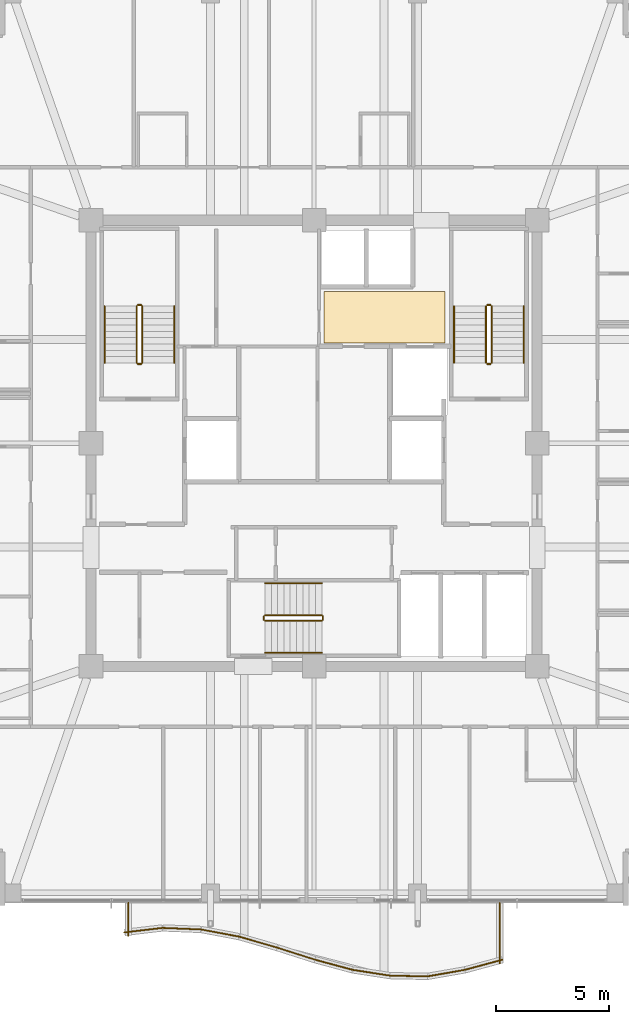
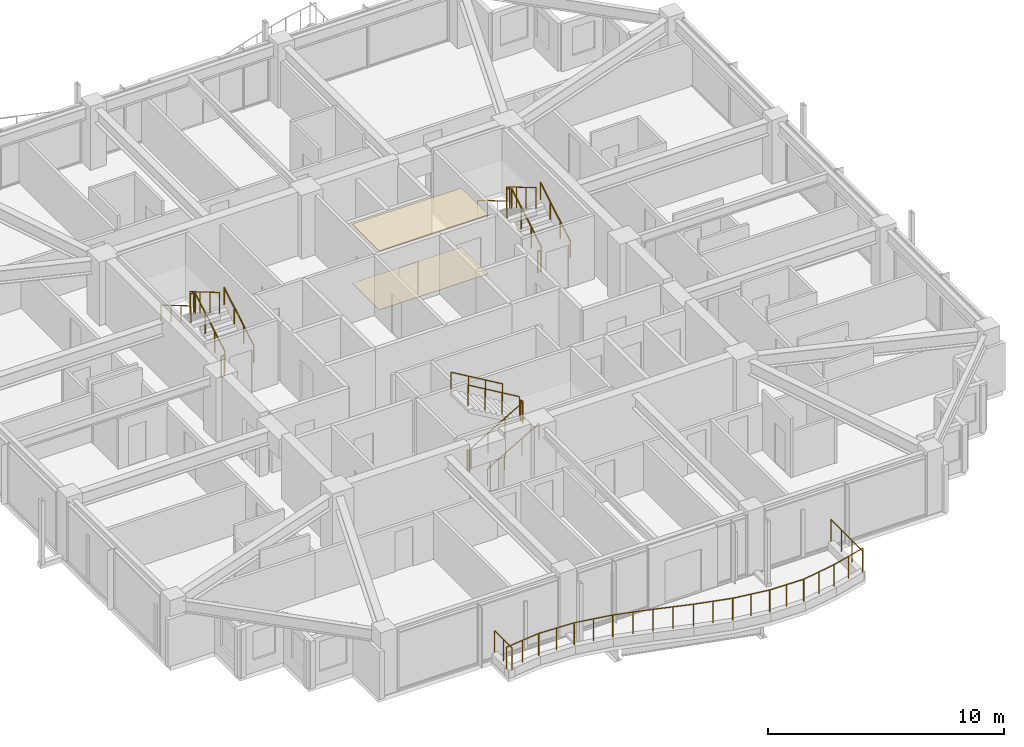
# One storey, part 37 of 38: 30 railings, 2 coverings.
"""IFC4 building model written with IfcOpenShell, lengths in metres."""

from ifc_helpers import new_model, si_unit, direction, frame, origin, origin_2d, place, context, subcontext, project, spatial, polyline, circle, outline, extrude, material, layer, layer_set, type_object, element, save


model = new_model("IFC4")

# Units and contexts
model_context = context("Model", 3, precision=1e-05, world=origin(), true_north=direction((0.0, 1.0)))
body_context = subcontext(model_context, "Body", "Model", "MODEL_VIEW")
ifc_project = project(units=[si_unit("LENGTHUNIT", "METRE"), si_unit("AREAUNIT", "SQUARE_METRE"), si_unit("VOLUMEUNIT", "CUBIC_METRE"), si_unit("PLANEANGLEUNIT", "RADIAN"), si_unit("MASSUNIT", "GRAM", prefix="KILO")], contexts=[model_context])

# Site, building, storey
site_placement = place(None, origin())
site = spatial("IfcSite", under=ifc_project, at=site_placement, CompositionType="ELEMENT")
building_placement = place(site_placement, origin())
building = spatial("IfcBuilding", under=site, at=building_placement, Name="Kolvaren Belvedere", CompositionType="ELEMENT")
storey_placement = place(building_placement, frame((0.0, 0.0, 213.0)))
storey = spatial("IfcBuildingStorey", under=building, at=storey_placement, Name="L62", CompositionType="ELEMENT", Elevation=213.0)

# Coverings
ifc_material_1 = material(Name="Acoustic perforated gypsum board", Category="gypsum")
ifc_layer_1 = layer(ifc_material_1, 0.02490234375)
ifc_layer_set_1 = layer_set([ifc_layer_1], Name="Acoustic perforated gypsum board")
covering_type_1 = type_object("IfcCoveringType", Name="COV-CEIL-GYP", PredefinedType="CEILING", material=ifc_layer_set_1)
covering_1_placement = place(storey_placement, frame((0.0, 0.0, 3.054931640625)))
element("IfcCovering", 1, at=covering_1_placement, inside=storey, type_object=covering_type_1, Name="L62 Lift Lobby Acoustic Baffle Ceiling", PredefinedType="CEILING", context=body_context, shape_type="SweptSolid", body=[
    extrude(outline(polyline([(0.449951171875, 4.449951171875), (5.800048828125, 4.449951171875), (5.800048828125, 6.75), (0.449951171875, 6.75), (0.449951171875, 4.449951171875)])), origin(), (0.0, 0.0, 1.0), 0.025146484375),
])
ifc_material_2 = material(Name="Engineered Pacific white oak", Category="timber")
ifc_layer_2 = layer(ifc_material_2, 0.02001953125)
ifc_layer_set_2 = layer_set([ifc_layer_2], Name="Engineered Pacific white oak")
covering_type_2 = type_object("IfcCoveringType", Name="COV-FLR-OAK", PredefinedType="FLOORING", material=ifc_layer_set_2)
covering_2_placement = place(storey_placement, origin())
element("IfcCovering", 2, at=covering_2_placement, inside=storey, type_object=covering_type_2, Name="L62 Lift Lobby Finish Flooring", PredefinedType="FLOORING", context=body_context, shape_type="SweptSolid", body=[
    extrude(outline(polyline([(0.449951171875, 4.449951171875), (5.800048828125, 4.449951171875), (5.800048828125, 6.75), (0.449951171875, 6.75), (0.449951171875, 4.449951171875)])), origin(), (0.0, 0.0, 1.0), 0.02001953125),
])

# Railings
ifc_material_3 = material(Name="Anodised pale-metal aluminium & laminated glass guard", Category="aluminium")
railing_type_1 = type_object("IfcRailingType", Name="RL-GUARD-1150", PredefinedType="GUARDRAIL", material=ifc_material_3)
railing_1_placement = place(storey_placement, frame((-8.418701171875, -21.70751953125, 0.3798828125)))
element("IfcRailing", 3, at=railing_1_placement, inside=storey, type_object=railing_type_1, Name="L62 Exterior Deck Safety Guard BAL-S-1", PredefinedType="GUARDRAIL", context=body_context, shape_type="SweptSolid", body=[
    extrude(circle(Radius=0.02392578125, at=origin_2d()), frame((0.0, 0.0, 1.1259765625), z_axis=(0.993125952783, 0.11705059551, 0.0), x_axis=(-0.11705059551, 0.993125952783, 0.0)), (0.0, 0.0, 1.0), 1.691650390625),
    extrude(circle(Radius=0.02099609375, at=origin_2d()), origin(), (0.0, 0.0, 1.0), 1.101806640625),
    extrude(circle(Radius=0.02099609375, at=origin_2d()), frame((0.83984375, 0.09912109375, 0.0)), (0.0, 0.0, 1.0), 1.101806640625),
    extrude(circle(Radius=0.02099609375, at=origin_2d()), frame((1.679931640625, 0.197998046875, 0.0)), (0.0, 0.0, 1.0), 1.101806640625),
])
railing_2_placement = place(storey_placement, frame((-6.713623046875, -21.508544921875, 0.3798828125)))
element("IfcRailing", 4, at=railing_2_placement, inside=storey, type_object=railing_type_1, Name="L62 Exterior Deck Safety Guard BAL-S-2", PredefinedType="GUARDRAIL", context=body_context, shape_type="SweptSolid", body=[
    extrude(circle(Radius=0.02392578125, at=origin_2d()), frame((0.0, 0.0, 1.1259765625), z_axis=(0.999196545286, -0.040078222133, 0.0), x_axis=(0.040078222133, 0.999196545286, 0.0)), (0.0, 0.0, 1.0), 1.681396484375),
    extrude(circle(Radius=0.02099609375, at=origin_2d()), origin(), (0.0, 0.0, 1.0), 1.101806640625),
    extrude(circle(Radius=0.02099609375, at=origin_2d()), frame((0.83984375, -0.03369140625, 0.0)), (0.0, 0.0, 1.0), 1.101806640625),
    extrude(circle(Radius=0.02099609375, at=origin_2d()), frame((1.679931640625, -0.0673828125, 0.0)), (0.0, 0.0, 1.0), 1.101806640625),
])
railing_3_placement = place(storey_placement, frame((-5.010498046875, -21.57861328125, 0.3798828125)))
element("IfcRailing", 5, at=railing_3_placement, inside=storey, type_object=railing_type_1, Name="L62 Exterior Deck Safety Guard BAL-S-3", PredefinedType="GUARDRAIL", context=body_context, shape_type="SweptSolid", body=[
    extrude(circle(Radius=0.02392578125, at=origin_2d()), frame((0.0, 0.0, 1.1259765625), z_axis=(0.982804219087, -0.184650661912, 0.0), x_axis=(0.184650661912, 0.982804219087, 0.0)), (0.0, 0.0, 1.0), 1.70947265625),
    extrude(circle(Radius=0.02099609375, at=origin_2d()), origin(), (0.0, 0.0, 1.0), 1.101806640625),
    extrude(circle(Radius=0.02099609375, at=origin_2d()), frame((0.840087890625, -0.15771484375, 0.0)), (0.0, 0.0, 1.0), 1.101806640625),
    extrude(circle(Radius=0.02099609375, at=origin_2d()), frame((1.68017578125, -0.315673828125, 0.0)), (0.0, 0.0, 1.0), 1.101806640625),
])
railing_4_placement = place(storey_placement, frame((-3.3154296875, -21.89794921875, 0.3798828125)))
element("IfcRailing", 6, at=railing_4_placement, inside=storey, type_object=railing_type_1, Name="L62 Exterior Deck Safety Guard BAL-S-4", PredefinedType="GUARDRAIL", context=body_context, shape_type="SweptSolid", body=[
    extrude(circle(Radius=0.02392578125, at=origin_2d()), frame((0.0, 0.0, 1.1259765625), z_axis=(0.960633903819, -0.277817391164, 0.0), x_axis=(0.277817391164, 0.960633903819, 0.0)), (0.0, 0.0, 1.0), 1.748779296875),
    extrude(circle(Radius=0.02099609375, at=origin_2d()), origin(), (0.0, 0.0, 1.0), 1.101806640625),
    extrude(circle(Radius=0.02099609375, at=origin_2d()), frame((0.83984375, -0.242919921875, 0.0)), (0.0, 0.0, 1.0), 1.101806640625),
    extrude(circle(Radius=0.02099609375, at=origin_2d()), frame((1.679931640625, -0.48583984375, 0.0)), (0.0, 0.0, 1.0), 1.101806640625),
])
railing_5_placement = place(storey_placement, frame((-1.63134765625, -22.38525390625, 0.3798828125)))
element("IfcRailing", 7, at=railing_5_placement, inside=storey, type_object=railing_type_1, Name="L62 Exterior Deck Safety Guard BAL-S-5", PredefinedType="GUARDRAIL", context=body_context, shape_type="SweptSolid", body=[
    extrude(circle(Radius=0.02392578125, at=origin_2d()), frame((0.0, 0.0, 1.1259765625), z_axis=(0.952661770826, -0.304032153573, 0.0), x_axis=(0.304032153573, 0.952661770826, 0.0)), (0.0, 0.0, 1.0), 1.763427734375),
    extrude(circle(Radius=0.02099609375, at=origin_2d()), origin(), (0.0, 0.0, 1.0), 1.101806640625),
    extrude(circle(Radius=0.02099609375, at=origin_2d()), frame((0.83984375, -0.26806640625, 0.0)), (0.0, 0.0, 1.0), 1.101806640625),
    extrude(circle(Radius=0.02099609375, at=origin_2d()), frame((1.679931640625, -0.5361328125, 0.0)), (0.0, 0.0, 1.0), 1.101806640625),
])
railing_6_placement = place(storey_placement, frame((0.041748046875, -22.919189453125, 0.3798828125)))
element("IfcRailing", 8, at=railing_6_placement, inside=storey, type_object=railing_type_1, Name="L62 Exterior Deck Safety Guard BAL-S-6", PredefinedType="GUARDRAIL", context=body_context, shape_type="SweptSolid", body=[
    extrude(circle(Radius=0.02392578125, at=origin_2d()), frame((0.0, 0.0, 1.1259765625), z_axis=(0.965424492388, -0.260682852326, 0.0), x_axis=(0.260682852326, 0.965424492388, 0.0)), (0.0, 0.0, 1.0), 1.739990234375),
    extrude(circle(Radius=0.02099609375, at=origin_2d()), origin(), (0.0, 0.0, 1.0), 1.101806640625),
    extrude(circle(Radius=0.02099609375, at=origin_2d()), frame((0.83984375, -0.226806640625, 0.0)), (0.0, 0.0, 1.0), 1.101806640625),
    extrude(circle(Radius=0.02099609375, at=origin_2d()), frame((1.679931640625, -0.45361328125, 0.0)), (0.0, 0.0, 1.0), 1.101806640625),
])
railing_7_placement = place(storey_placement, frame((1.704345703125, -23.369140625, 0.3798828125)))
element("IfcRailing", 9, at=railing_7_placement, inside=storey, type_object=railing_type_1, Name="L62 Exterior Deck Safety Guard BAL-S-7", PredefinedType="GUARDRAIL", context=body_context, shape_type="SweptSolid", body=[
    extrude(circle(Radius=0.02392578125, at=origin_2d()), frame((0.0, 0.0, 1.1259765625), z_axis=(0.988345118302, -0.152229849666, 0.0), x_axis=(0.152229849666, 0.988345118302, 0.0)), (0.0, 0.0, 1.0), 1.699951171875),
    extrude(circle(Radius=0.02099609375, at=origin_2d()), origin(), (0.0, 0.0, 1.0), 1.101806640625),
    extrude(circle(Radius=0.02099609375, at=origin_2d()), frame((0.840087890625, -0.12939453125, 0.0)), (0.0, 0.0, 1.0), 1.101806640625),
    extrude(circle(Radius=0.02099609375, at=origin_2d()), frame((1.68017578125, -0.2587890625, 0.0)), (0.0, 0.0, 1.0), 1.101806640625),
])
railing_8_placement = place(storey_placement, frame((3.36328125, -23.626220703125, 0.3798828125)))
element("IfcRailing", 10, at=railing_8_placement, inside=storey, type_object=railing_type_1, Name="L62 Exterior Deck Safety Guard BAL-S-8", PredefinedType="GUARDRAIL", context=body_context, shape_type="SweptSolid", body=[
    extrude(circle(Radius=0.02392578125, at=origin_2d()), frame((0.0, 0.0, 1.1259765625), z_axis=(0.99979895463, -0.020051192521, 0.0), x_axis=(0.020051192521, 0.99979895463, 0.0)), (0.0, 0.0, 1.0), 1.68017578125),
    extrude(circle(Radius=0.02099609375, at=origin_2d()), origin(), (0.0, 0.0, 1.0), 1.101806640625),
    extrude(circle(Radius=0.02099609375, at=origin_2d()), frame((0.83984375, -0.016845703125, 0.0)), (0.0, 0.0, 1.0), 1.101806640625),
    extrude(circle(Radius=0.02099609375, at=origin_2d()), frame((1.679931640625, -0.03369140625, 0.0)), (0.0, 0.0, 1.0), 1.101806640625),
])
railing_9_placement = place(storey_placement, frame((5.012451171875, -23.662353515625, 0.3798828125)))
element("IfcRailing", 11, at=railing_9_placement, inside=storey, type_object=railing_type_1, Name="L62 Exterior Deck Safety Guard BAL-S-9", PredefinedType="GUARDRAIL", context=body_context, shape_type="SweptSolid", body=[
    extrude(circle(Radius=0.02392578125, at=origin_2d()), frame((0.0, 0.0, 1.1259765625), z_axis=(0.985156010777, 0.171661394699, 0.0), x_axis=(-0.171661394699, 0.985156010777, 0.0)), (0.0, 0.0, 1.0), 1.705322265625),
    extrude(circle(Radius=0.02099609375, at=origin_2d()), origin(), (0.0, 0.0, 1.0), 1.101806640625),
    extrude(circle(Radius=0.02099609375, at=origin_2d()), frame((0.83984375, 0.146484375, 0.0)), (0.0, 0.0, 1.0), 1.101806640625),
    extrude(circle(Radius=0.02099609375, at=origin_2d()), frame((1.679931640625, 0.292724609375, 0.0)), (0.0, 0.0, 1.0), 1.101806640625),
])
railing_10_placement = place(storey_placement, frame((6.67822265625, -23.372802734375, 0.3798828125)))
element("IfcRailing", 12, at=railing_10_placement, inside=storey, type_object=railing_type_1, Name="L62 Exterior Deck Safety Guard BAL-S-10", PredefinedType="GUARDRAIL", context=body_context, shape_type="SweptSolid", body=[
    extrude(circle(Radius=0.02392578125, at=origin_2d()), frame((0.0, 0.0, 1.1259765625), z_axis=(0.965434024814, 0.260647546949, 0.0), x_axis=(-0.260647546949, 0.965434024814, 0.0)), (0.0, 0.0, 1.0), 1.740234375),
    extrude(circle(Radius=0.02099609375, at=origin_2d()), origin(), (0.0, 0.0, 1.0), 1.101806640625),
    extrude(circle(Radius=0.02099609375, at=origin_2d()), frame((0.840087890625, 0.226806640625, 0.0)), (0.0, 0.0, 1.0), 1.101806640625),
    extrude(circle(Radius=0.02099609375, at=origin_2d()), frame((1.68017578125, 0.45361328125, 0.0)), (0.0, 0.0, 1.0), 1.101806640625),
])
railing_11_placement = place(storey_placement, frame((8.239990234375, -23.07373046875, 0.3798828125)))
element("IfcRailing", 13, at=railing_11_placement, inside=storey, type_object=railing_type_1, Name="L62 Exterior Deck Safety Guard BAL-S-11", PredefinedType="GUARDRAIL", context=body_context, shape_type="SweptSolid", body=[
    extrude(circle(Radius=0.02392578125, at=origin_2d()), frame((0.0, 0.0, 1.1259765625), z_axis=(0.0, 1.0, 0.0), x_axis=(-1.0, 0.0, 0.0)), (0.0, 0.0, 1.0), 2.673828125),
    extrude(circle(Radius=0.02099609375, at=origin_2d()), origin(), (0.0, 0.0, 1.0), 1.101806640625),
    extrude(circle(Radius=0.02099609375, at=origin_2d()), frame((0.0, 0.891357421875, 0.0)), (0.0, 0.0, 1.0), 1.101806640625),
    extrude(circle(Radius=0.02099609375, at=origin_2d()), frame((0.0, 1.782470703125, 0.0)), (0.0, 0.0, 1.0), 1.101806640625),
    extrude(circle(Radius=0.02099609375, at=origin_2d()), frame((0.0, 2.673828125, 0.0)), (0.0, 0.0, 1.0), 1.101806640625),
])
railing_12_placement = place(storey_placement, frame((-8.239990234375, -20.39990234375, 0.3798828125)))
element("IfcRailing", 14, at=railing_12_placement, inside=storey, type_object=railing_type_1, Name="L62 Exterior Deck Safety Guard BAL-S-22", PredefinedType="GUARDRAIL", context=body_context, shape_type="SweptSolid", body=[
    extrude(circle(Radius=0.02392578125, at=origin_2d()), frame((0.0, 0.0, 1.1259765625), z_axis=(0.0, -1.0, 0.0), x_axis=(1.0, 0.0, 0.0)), (0.0, 0.0, 1.0), 1.46630859375),
    extrude(circle(Radius=0.02099609375, at=origin_2d()), origin(), (0.0, 0.0, 1.0), 1.101806640625),
    extrude(circle(Radius=0.02099609375, at=origin_2d()), frame((0.0, -0.733154296875, 0.0)), (0.0, 0.0, 1.0), 1.101806640625),
    extrude(circle(Radius=0.02099609375, at=origin_2d()), frame((0.0, -1.46630859375, 0.0)), (0.0, 0.0, 1.0), 1.101806640625),
])
ifc_material_4 = material(Name="Brushed stainless-steel handrail", Category="steel")
railing_type_2 = type_object("IfcRailingType", Name="RL-HANDRAIL-920", PredefinedType="HANDRAIL", material=ifc_material_4)
railing_13_placement = place(storey_placement, frame((-6.2099609375, 3.570068359375, 0.1650390625)))
element("IfcRailing", 15, at=railing_13_placement, inside=storey, type_object=railing_type_2, Name="L62 ST-1 stair handrail 1", PredefinedType="HANDRAIL", context=body_context, shape_type="SweptSolid", body=[
    extrude(circle(Radius=0.02392578125, at=origin_2d()), frame((0.0, 0.0, 0.8759765625), z_axis=(0.0, 0.861560626758, 0.507654692109), x_axis=(-1.0, 0.0, 0.0)), (0.0, 0.0, 1.0), 2.925048828125),
    extrude(circle(Radius=0.02099609375, at=origin_2d()), origin(), (0.0, 0.0, 1.0), 0.851806640625),
    extrude(circle(Radius=0.02099609375, at=origin_2d()), frame((0.0, 0.840087890625, 0.494873046875)), (0.0, 0.0, 1.0), 0.851806640625),
    extrude(circle(Radius=0.02099609375, at=origin_2d()), frame((0.0, 1.679931640625, 0.989990234375)), (0.0, 0.0, 1.0), 0.851806640625),
    extrude(circle(Radius=0.02099609375, at=origin_2d()), frame((0.0, 2.52001953125, 1.48486328125)), (0.0, 0.0, 1.0), 0.851806640625),
])
railing_14_placement = place(storey_placement, frame((-9.300048828125, 6.090087890625, 1.81494140625)))
element("IfcRailing", 16, at=railing_14_placement, inside=storey, type_object=railing_type_2, Name="L62 ST-1 stair handrail 2", PredefinedType="HANDRAIL", context=body_context, shape_type="SweptSolid", body=[
    extrude(circle(Radius=0.02392578125, at=origin_2d()), frame((0.0, 0.0, 0.8759765625), z_axis=(0.0, -0.86152411907, 0.507716645641), x_axis=(1.0, 0.0, 0.0)), (0.0, 0.0, 1.0), 2.925048828125),
    extrude(circle(Radius=0.02099609375, at=origin_2d()), origin(), (0.0, 0.0, 1.0), 0.851806640625),
    extrude(circle(Radius=0.02099609375, at=origin_2d()), frame((0.0, -0.840087890625, 0.4951171875)), (0.0, 0.0, 1.0), 0.851806640625),
    extrude(circle(Radius=0.02099609375, at=origin_2d()), frame((0.0, -1.679931640625, 0.989990234375)), (0.0, 0.0, 1.0), 0.851806640625),
    extrude(circle(Radius=0.02099609375, at=origin_2d()), frame((0.0, -2.52001953125, 1.485107421875)), (0.0, 0.0, 1.0), 0.851806640625),
])
railing_15_placement = place(storey_placement, frame((9.300048828125, 3.570068359375, 0.1650390625)))
element("IfcRailing", 17, at=railing_15_placement, inside=storey, type_object=railing_type_2, Name="L62 ST-2 stair handrail 1", PredefinedType="HANDRAIL", context=body_context, shape_type="SweptSolid", body=[
    extrude(circle(Radius=0.02392578125, at=origin_2d()), frame((0.0, 0.0, 0.8759765625), z_axis=(0.0, 0.861560626758, 0.507654692109), x_axis=(-1.0, 0.0, 0.0)), (0.0, 0.0, 1.0), 2.925048828125),
    extrude(circle(Radius=0.02099609375, at=origin_2d()), origin(), (0.0, 0.0, 1.0), 0.851806640625),
    extrude(circle(Radius=0.02099609375, at=origin_2d()), frame((0.0, 0.840087890625, 0.494873046875)), (0.0, 0.0, 1.0), 0.851806640625),
    extrude(circle(Radius=0.02099609375, at=origin_2d()), frame((0.0, 1.679931640625, 0.989990234375)), (0.0, 0.0, 1.0), 0.851806640625),
    extrude(circle(Radius=0.02099609375, at=origin_2d()), frame((0.0, 2.52001953125, 1.48486328125)), (0.0, 0.0, 1.0), 0.851806640625),
])
railing_16_placement = place(storey_placement, frame((6.2099609375, 6.090087890625, 1.81494140625)))
element("IfcRailing", 18, at=railing_16_placement, inside=storey, type_object=railing_type_2, Name="L62 ST-2 stair handrail 2", PredefinedType="HANDRAIL", context=body_context, shape_type="SweptSolid", body=[
    extrude(circle(Radius=0.02392578125, at=origin_2d()), frame((0.0, 0.0, 0.8759765625), z_axis=(0.0, -0.86152411907, 0.507716645641), x_axis=(1.0, 0.0, 0.0)), (0.0, 0.0, 1.0), 2.925048828125),
    extrude(circle(Radius=0.02099609375, at=origin_2d()), origin(), (0.0, 0.0, 1.0), 0.851806640625),
    extrude(circle(Radius=0.02099609375, at=origin_2d()), frame((0.0, -0.840087890625, 0.4951171875)), (0.0, 0.0, 1.0), 0.851806640625),
    extrude(circle(Radius=0.02099609375, at=origin_2d()), frame((0.0, -1.679931640625, 0.989990234375)), (0.0, 0.0, 1.0), 0.851806640625),
    extrude(circle(Radius=0.02099609375, at=origin_2d()), frame((0.0, -2.52001953125, 1.485107421875)), (0.0, 0.0, 1.0), 0.851806640625),
])
railing_17_placement = place(storey_placement, frame((-2.179931640625, -9.300048828125, 0.1650390625)))
element("IfcRailing", 19, at=railing_17_placement, inside=storey, type_object=railing_type_2, Name="L62 ST-3 stair handrail 1", PredefinedType="HANDRAIL", context=body_context, shape_type="SweptSolid", body=[
    extrude(circle(Radius=0.02392578125, at=origin_2d()), frame((0.0, 0.0, 0.8759765625), z_axis=(0.861560626758, 0.0, 0.507654692109), x_axis=(0.0, 1.0, 0.0)), (0.0, 0.0, 1.0), 2.925048828125),
    extrude(circle(Radius=0.02099609375, at=origin_2d()), origin(), (0.0, 0.0, 1.0), 0.851806640625),
    extrude(circle(Radius=0.02099609375, at=origin_2d()), frame((0.840087890625, 0.0, 0.494873046875)), (0.0, 0.0, 1.0), 0.851806640625),
    extrude(circle(Radius=0.02099609375, at=origin_2d()), frame((1.679931640625, 0.0, 0.989990234375)), (0.0, 0.0, 1.0), 0.851806640625),
    extrude(circle(Radius=0.02099609375, at=origin_2d()), frame((2.52001953125, 0.0, 1.48486328125)), (0.0, 0.0, 1.0), 0.851806640625),
])
railing_18_placement = place(storey_placement, frame((0.340087890625, -6.2099609375, 1.81494140625)))
element("IfcRailing", 20, at=railing_18_placement, inside=storey, type_object=railing_type_2, Name="L62 ST-3 stair handrail 2", PredefinedType="HANDRAIL", context=body_context, shape_type="SweptSolid", body=[
    extrude(circle(Radius=0.02392578125, at=origin_2d()), frame((0.0, 0.0, 0.8759765625), z_axis=(-0.86152411907, 0.0, 0.507716645641), x_axis=(0.0, -1.0, 0.0)), (0.0, 0.0, 1.0), 2.925048828125),
    extrude(circle(Radius=0.02099609375, at=origin_2d()), origin(), (0.0, 0.0, 1.0), 0.851806640625),
    extrude(circle(Radius=0.02099609375, at=origin_2d()), frame((-0.840087890625, 0.0, 0.4951171875)), (0.0, 0.0, 1.0), 0.851806640625),
    extrude(circle(Radius=0.02099609375, at=origin_2d()), frame((-1.679931640625, 0.0, 0.989990234375)), (0.0, 0.0, 1.0), 0.851806640625),
    extrude(circle(Radius=0.02099609375, at=origin_2d()), frame((-2.52001953125, 0.0, 1.485107421875)), (0.0, 0.0, 1.0), 0.851806640625),
])
ifc_material_5 = material(Name="Painted tubular steel stair guard", Category="steel")
railing_type_3 = type_object("IfcRailingType", Name="RL-STGUARD-1100", PredefinedType="GUARDRAIL", material=ifc_material_5)
railing_19_placement = place(storey_placement, frame((-7.6298828125, 3.570068359375, 0.1650390625)))
element("IfcRailing", 21, at=railing_19_placement, inside=storey, type_object=railing_type_3, Name="L62 ST-1 stair guard 1", PredefinedType="GUARDRAIL", context=body_context, shape_type="SweptSolid", body=[
    extrude(circle(Radius=0.02392578125, at=origin_2d()), frame((0.0, 0.0, 1.076171875), z_axis=(0.0, 0.861560626758, 0.507654692109), x_axis=(-1.0, 0.0, 0.0)), (0.0, 0.0, 1.0), 2.925048828125),
    extrude(circle(Radius=0.02099609375, at=origin_2d()), origin(), (0.0, 0.0, 1.0), 1.052001953125),
    extrude(circle(Radius=0.02099609375, at=origin_2d()), frame((0.0, 0.840087890625, 0.494873046875)), (0.0, 0.0, 1.0), 1.052001953125),
    extrude(circle(Radius=0.02099609375, at=origin_2d()), frame((0.0, 1.679931640625, 0.989990234375)), (0.0, 0.0, 1.0), 1.052001953125),
    extrude(circle(Radius=0.02099609375, at=origin_2d()), frame((0.0, 2.52001953125, 1.48486328125)), (0.0, 0.0, 1.0), 1.052001953125),
])
railing_20_placement = place(storey_placement, frame((-7.679931640625, 6.139892578125, 1.64990234375)))
element("IfcRailing", 22, at=railing_20_placement, inside=storey, type_object=railing_type_3, Name="L62 ST-1 stair guard 2", PredefinedType="GUARDRAIL", context=body_context, shape_type="SweptSolid", body=[
    extrude(circle(Radius=0.02392578125, at=origin_2d()), frame((0.0, 0.0, 1.076171875), z_axis=(-1.0, 0.0, 0.0), x_axis=(0.0, -1.0, 0.0)), (0.0, 0.0, 1.0), 0.150146484375),
    extrude(circle(Radius=0.02099609375, at=origin_2d()), origin(), (0.0, 0.0, 1.0), 1.052001953125),
    extrude(circle(Radius=0.02099609375, at=origin_2d()), frame((-0.150146484375, 0.0, 0.0)), (0.0, 0.0, 1.0), 1.052001953125),
])
railing_21_placement = place(storey_placement, frame((-7.8798828125, 6.090087890625, 1.81494140625)))
element("IfcRailing", 23, at=railing_21_placement, inside=storey, type_object=railing_type_3, Name="L62 ST-1 stair guard 3", PredefinedType="GUARDRAIL", context=body_context, shape_type="SweptSolid", body=[
    extrude(circle(Radius=0.02392578125, at=origin_2d()), frame((0.0, 0.0, 1.076171875), z_axis=(0.0, -0.86152411907, 0.507716645641), x_axis=(1.0, 0.0, 0.0)), (0.0, 0.0, 1.0), 2.925048828125),
    extrude(circle(Radius=0.02099609375, at=origin_2d()), origin(), (0.0, 0.0, 1.0), 1.052001953125),
    extrude(circle(Radius=0.02099609375, at=origin_2d()), frame((0.0, -0.840087890625, 0.4951171875)), (0.0, 0.0, 1.0), 1.052001953125),
    extrude(circle(Radius=0.02099609375, at=origin_2d()), frame((0.0, -1.679931640625, 0.989990234375)), (0.0, 0.0, 1.0), 1.052001953125),
    extrude(circle(Radius=0.02099609375, at=origin_2d()), frame((0.0, -2.52001953125, 1.485107421875)), (0.0, 0.0, 1.0), 1.052001953125),
])
railing_22_placement = place(storey_placement, frame((-7.679931640625, 3.52001953125, 0.0)))
element("IfcRailing", 24, at=railing_22_placement, inside=storey, type_object=railing_type_3, Name="L62 ST-1 stair guard 4", PredefinedType="GUARDRAIL", context=body_context, shape_type="SweptSolid", body=[
    extrude(circle(Radius=0.02392578125, at=origin_2d()), frame((0.0, 0.0, 1.076171875), z_axis=(-1.0, 0.0, 0.0), x_axis=(0.0, -1.0, 0.0)), (0.0, 0.0, 1.0), 0.150146484375),
    extrude(circle(Radius=0.02099609375, at=origin_2d()), origin(), (0.0, 0.0, 1.0), 1.052001953125),
    extrude(circle(Radius=0.02099609375, at=origin_2d()), frame((-0.150146484375, 0.0, 0.0)), (0.0, 0.0, 1.0), 1.052001953125),
])
railing_23_placement = place(storey_placement, frame((7.8798828125, 3.570068359375, 0.1650390625)))
element("IfcRailing", 25, at=railing_23_placement, inside=storey, type_object=railing_type_3, Name="L62 ST-2 stair guard 1", PredefinedType="GUARDRAIL", context=body_context, shape_type="SweptSolid", body=[
    extrude(circle(Radius=0.02392578125, at=origin_2d()), frame((0.0, 0.0, 1.076171875), z_axis=(0.0, 0.861560626758, 0.507654692109), x_axis=(-1.0, 0.0, 0.0)), (0.0, 0.0, 1.0), 2.925048828125),
    extrude(circle(Radius=0.02099609375, at=origin_2d()), origin(), (0.0, 0.0, 1.0), 1.052001953125),
    extrude(circle(Radius=0.02099609375, at=origin_2d()), frame((0.0, 0.840087890625, 0.494873046875)), (0.0, 0.0, 1.0), 1.052001953125),
    extrude(circle(Radius=0.02099609375, at=origin_2d()), frame((0.0, 1.679931640625, 0.989990234375)), (0.0, 0.0, 1.0), 1.052001953125),
    extrude(circle(Radius=0.02099609375, at=origin_2d()), frame((0.0, 2.52001953125, 1.48486328125)), (0.0, 0.0, 1.0), 1.052001953125),
])
railing_24_placement = place(storey_placement, frame((7.830078125, 6.139892578125, 1.64990234375)))
element("IfcRailing", 26, at=railing_24_placement, inside=storey, type_object=railing_type_3, Name="L62 ST-2 stair guard 2", PredefinedType="GUARDRAIL", context=body_context, shape_type="SweptSolid", body=[
    extrude(circle(Radius=0.02392578125, at=origin_2d()), frame((0.0, 0.0, 1.076171875), z_axis=(-1.0, 0.0, 0.0), x_axis=(0.0, -1.0, 0.0)), (0.0, 0.0, 1.0), 0.150146484375),
    extrude(circle(Radius=0.02099609375, at=origin_2d()), origin(), (0.0, 0.0, 1.0), 1.052001953125),
    extrude(circle(Radius=0.02099609375, at=origin_2d()), frame((-0.150146484375, 0.0, 0.0)), (0.0, 0.0, 1.0), 1.052001953125),
])
railing_25_placement = place(storey_placement, frame((7.6298828125, 6.090087890625, 1.81494140625)))
element("IfcRailing", 27, at=railing_25_placement, inside=storey, type_object=railing_type_3, Name="L62 ST-2 stair guard 3", PredefinedType="GUARDRAIL", context=body_context, shape_type="SweptSolid", body=[
    extrude(circle(Radius=0.02392578125, at=origin_2d()), frame((0.0, 0.0, 1.076171875), z_axis=(0.0, -0.86152411907, 0.507716645641), x_axis=(1.0, 0.0, 0.0)), (0.0, 0.0, 1.0), 2.925048828125),
    extrude(circle(Radius=0.02099609375, at=origin_2d()), origin(), (0.0, 0.0, 1.0), 1.052001953125),
    extrude(circle(Radius=0.02099609375, at=origin_2d()), frame((0.0, -0.840087890625, 0.4951171875)), (0.0, 0.0, 1.0), 1.052001953125),
    extrude(circle(Radius=0.02099609375, at=origin_2d()), frame((0.0, -1.679931640625, 0.989990234375)), (0.0, 0.0, 1.0), 1.052001953125),
    extrude(circle(Radius=0.02099609375, at=origin_2d()), frame((0.0, -2.52001953125, 1.485107421875)), (0.0, 0.0, 1.0), 1.052001953125),
])
railing_26_placement = place(storey_placement, frame((7.830078125, 3.52001953125, 0.0)))
element("IfcRailing", 28, at=railing_26_placement, inside=storey, type_object=railing_type_3, Name="L62 ST-2 stair guard 4", PredefinedType="GUARDRAIL", context=body_context, shape_type="SweptSolid", body=[
    extrude(circle(Radius=0.02392578125, at=origin_2d()), frame((0.0, 0.0, 1.076171875), z_axis=(-1.0, 0.0, 0.0), x_axis=(0.0, -1.0, 0.0)), (0.0, 0.0, 1.0), 0.150146484375),
    extrude(circle(Radius=0.02099609375, at=origin_2d()), origin(), (0.0, 0.0, 1.0), 1.052001953125),
    extrude(circle(Radius=0.02099609375, at=origin_2d()), frame((-0.150146484375, 0.0, 0.0)), (0.0, 0.0, 1.0), 1.052001953125),
])
railing_27_placement = place(storey_placement, frame((-2.179931640625, -7.8798828125, 0.1650390625)))
element("IfcRailing", 29, at=railing_27_placement, inside=storey, type_object=railing_type_3, Name="L62 ST-3 stair guard 1", PredefinedType="GUARDRAIL", context=body_context, shape_type="SweptSolid", body=[
    extrude(circle(Radius=0.02392578125, at=origin_2d()), frame((0.0, 0.0, 1.076171875), z_axis=(0.861560626758, 0.0, 0.507654692109), x_axis=(0.0, 1.0, 0.0)), (0.0, 0.0, 1.0), 2.925048828125),
    extrude(circle(Radius=0.02099609375, at=origin_2d()), origin(), (0.0, 0.0, 1.0), 1.052001953125),
    extrude(circle(Radius=0.02099609375, at=origin_2d()), frame((0.840087890625, 0.0, 0.494873046875)), (0.0, 0.0, 1.0), 1.052001953125),
    extrude(circle(Radius=0.02099609375, at=origin_2d()), frame((1.679931640625, 0.0, 0.989990234375)), (0.0, 0.0, 1.0), 1.052001953125),
    extrude(circle(Radius=0.02099609375, at=origin_2d()), frame((2.52001953125, 0.0, 1.48486328125)), (0.0, 0.0, 1.0), 1.052001953125),
])
railing_28_placement = place(storey_placement, frame((0.389892578125, -7.830078125, 1.64990234375)))
element("IfcRailing", 30, at=railing_28_placement, inside=storey, type_object=railing_type_3, Name="L62 ST-3 stair guard 2", PredefinedType="GUARDRAIL", context=body_context, shape_type="SweptSolid", body=[
    extrude(circle(Radius=0.02392578125, at=origin_2d()), frame((0.0, 0.0, 1.076171875), z_axis=(0.0, 1.0, 0.0), x_axis=(-1.0, 0.0, 0.0)), (0.0, 0.0, 1.0), 0.150146484375),
    extrude(circle(Radius=0.02099609375, at=origin_2d()), origin(), (0.0, 0.0, 1.0), 1.052001953125),
    extrude(circle(Radius=0.02099609375, at=origin_2d()), frame((0.0, 0.150146484375, 0.0)), (0.0, 0.0, 1.0), 1.052001953125),
])
railing_29_placement = place(storey_placement, frame((0.340087890625, -7.6298828125, 1.81494140625)))
element("IfcRailing", 31, at=railing_29_placement, inside=storey, type_object=railing_type_3, Name="L62 ST-3 stair guard 3", PredefinedType="GUARDRAIL", context=body_context, shape_type="SweptSolid", body=[
    extrude(circle(Radius=0.02392578125, at=origin_2d()), frame((0.0, 0.0, 1.076171875), z_axis=(-0.86152411907, 0.0, 0.507716645641), x_axis=(0.0, -1.0, 0.0)), (0.0, 0.0, 1.0), 2.925048828125),
    extrude(circle(Radius=0.02099609375, at=origin_2d()), origin(), (0.0, 0.0, 1.0), 1.052001953125),
    extrude(circle(Radius=0.02099609375, at=origin_2d()), frame((-0.840087890625, 0.0, 0.4951171875)), (0.0, 0.0, 1.0), 1.052001953125),
    extrude(circle(Radius=0.02099609375, at=origin_2d()), frame((-1.679931640625, 0.0, 0.989990234375)), (0.0, 0.0, 1.0), 1.052001953125),
    extrude(circle(Radius=0.02099609375, at=origin_2d()), frame((-2.52001953125, 0.0, 1.485107421875)), (0.0, 0.0, 1.0), 1.052001953125),
])
railing_30_placement = place(storey_placement, frame((-2.22998046875, -7.830078125, 0.0)))
element("IfcRailing", 32, at=railing_30_placement, inside=storey, type_object=railing_type_3, Name="L62 ST-3 stair guard 4", PredefinedType="GUARDRAIL", context=body_context, shape_type="SweptSolid", body=[
    extrude(circle(Radius=0.02392578125, at=origin_2d()), frame((0.0, 0.0, 1.076171875), z_axis=(0.0, 1.0, 0.0), x_axis=(-1.0, 0.0, 0.0)), (0.0, 0.0, 1.0), 0.150146484375),
    extrude(circle(Radius=0.02099609375, at=origin_2d()), origin(), (0.0, 0.0, 1.0), 1.052001953125),
    extrude(circle(Radius=0.02099609375, at=origin_2d()), frame((0.0, 0.150146484375, 0.0)), (0.0, 0.0, 1.0), 1.052001953125),
])

save(model, "model.ifc")
